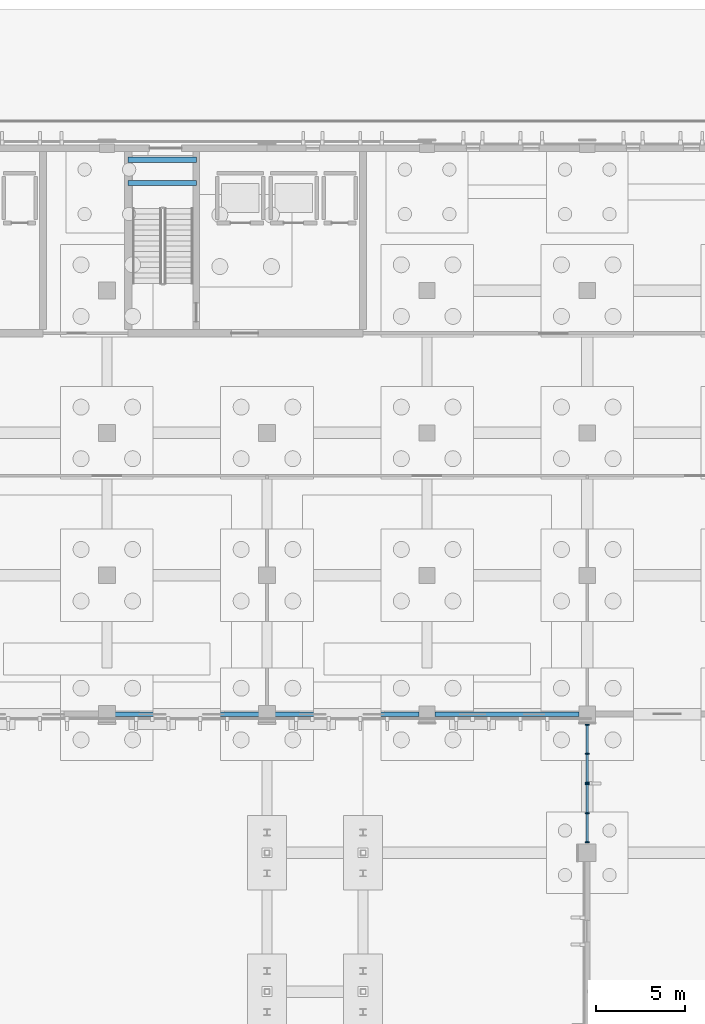
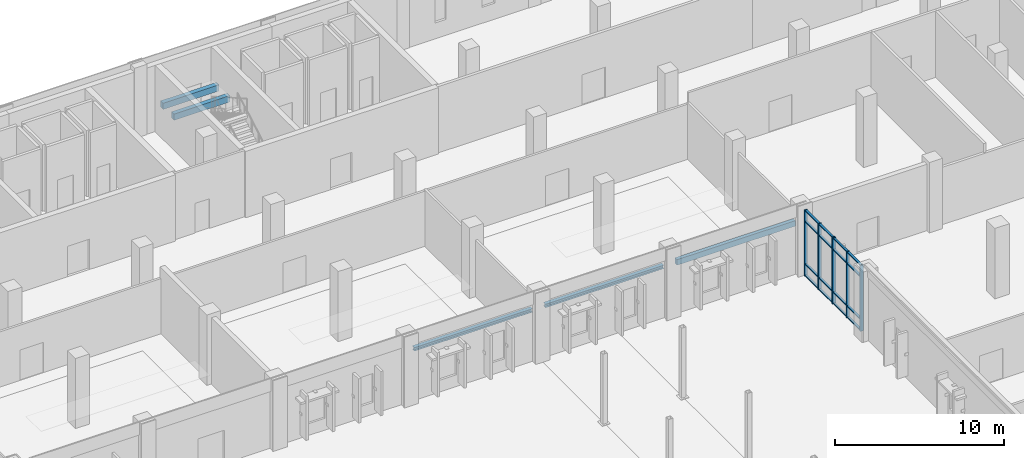
# One storey, part 45 of 94: 22 members, 5 beams, 2 elements without a shape of their own.
"""IFC4 building model written with IfcOpenShell, lengths in metres."""

from ifc_helpers import new_model, si_unit, direction, frame, origin, origin_2d, place, context, subcontext, project, spatial, rectangle, i_section, extrude, material, material_profile, profile_set, type_object, element, aggregate, save


model = new_model("IFC4")

# Units and contexts
model_context = context("Model", 3, precision=1e-05, world=origin(), true_north=direction((0.0, 1.0)))
body_context = subcontext(model_context, "Body", "Model", "MODEL_VIEW")
ifc_project = project(units=[si_unit("LENGTHUNIT", "METRE"), si_unit("AREAUNIT", "SQUARE_METRE"), si_unit("VOLUMEUNIT", "CUBIC_METRE"), si_unit("PLANEANGLEUNIT", "RADIAN"), si_unit("MASSUNIT", "GRAM", prefix="KILO")], contexts=[model_context])

# Site, building, storey
site_placement = place(None, origin())
site = spatial("IfcSite", under=ifc_project, at=site_placement, CompositionType="ELEMENT")
building_placement = place(site_placement, origin())
building = spatial("IfcBuilding", under=site, at=building_placement, Name="Vervanel Yard Central Library", CompositionType="ELEMENT")
storey_placement = place(building_placement, origin())
storey = spatial("IfcBuildingStorey", under=building, at=storey_placement, Name="L00", CompositionType="ELEMENT", Elevation=0.0)

# Beams
ifc_material_1 = material(Name="Concrete C40/50", Category="concrete")
ifc_material_profile_1 = material_profile(ifc_material_1, rectangle(XDim=0.300048828125, YDim=0.449951171875, at=origin_2d()), Name="RC 300x450", Category="concrete")
ifc_profile_set_1 = profile_set([ifc_material_profile_1], Name="Concrete C40/50")
beam_type_1 = type_object("IfcBeamType", Name="Concrete Opening Lintel 300x450", PredefinedType="LINTEL", material=ifc_profile_set_1)
for number, where, z_axis, x_axis, name in (
    (1, (64.199951171875, 112.050048828125, 2.125), (1.0, 0.0, 0.0), (0.0, 1.0, 0.0), "L00 CORE-B Stair Landing Beam 11"),
    (2, (64.199951171875, 113.35009765625, 2.125), (1.0, 0.0, 0.0), (0.0, 1.0, 0.0), "L00 CORE-B Stair Landing Beam 12"),
):
    element("IfcBeam", number, at=place(storey_placement, frame(where, z_axis=z_axis, x_axis=x_axis)), inside=storey, type_object=beam_type_1, Name=name, PredefinedType="LINTEL", context=body_context, shape_type="SweptSolid", body=[
        extrude(rectangle(XDim=0.300048828125, YDim=0.449951171875, at=origin_2d()), origin(), (0.0, 0.0, 1.0), 3.824951171875),
    ])
ifc_material_profile_2 = material_profile(ifc_material_1, rectangle(XDim=0.25, YDim=0.39990234375, at=origin_2d()), Name="RC 250x400", Category="concrete")
ifc_profile_set_2 = profile_set([ifc_material_profile_2], Name="Concrete C40/50")
beam_type_2 = type_object("IfcBeamType", Name="Concrete Shutter Lintel 250x400", PredefinedType="LINTEL", material=ifc_profile_set_2)
beam_placement = place(storey_placement, frame((81.449951171875, 82.199951171875, 3.64990234375), z_axis=(1.0, 0.0, 0.0), x_axis=(0.0, 1.0, 0.0)))
element("IfcBeam", 3, at=beam_placement, inside=storey, type_object=beam_type_2, Name="L00 Portal Opening Lintel 6", PredefinedType="LINTEL", context=body_context, shape_type="SweptSolid", body=[
    extrude(rectangle(XDim=0.25, YDim=0.39990234375, at=origin_2d()), origin(), (0.0, 0.0, 1.0), 8.10009765625),
])

# Curtain wall, members
ifc_material_2 = material(Name="Thermally broken anodized aluminium 6063-T6", Category="aluminium")
curtain_wall_type = type_object("IfcCurtainWallType", Name="Reading Hall Full-Height Curtain Wall", PredefinedType="NOTDEFINED", material=ifc_material_2)
curtain_wall_1_placement = place(storey_placement, origin())
curtain_wall_1 = element("IfcCurtainWall", 4, at=curtain_wall_1_placement, inside=storey, type_object=curtain_wall_type, Name="L00 Reading Hall Full-Height Curtain Wall CWR-L00-048", PredefinedType="NOTDEFINED")
ifc_material_profile_3 = material_profile(ifc_material_2, rectangle(XDim=0.070068359375, YDim=0.219970703125, at=origin_2d()), Name="ALU 70x220", Category="aluminium")
ifc_profile_set_3 = profile_set([ifc_material_profile_3], Name="Thermally broken anodized aluminium 6063-T6")
member_type_1 = type_object("IfcMemberType", Name="Reading Hall Deep Mullion 70x220", PredefinedType="MULLION", material=ifc_profile_set_3)
member_1_placement = place(storey_placement, frame((90.0, 74.9951171875, 0.0), z_axis=(0.0, 0.0, 1.0), x_axis=(0.0, 1.0, 0.0)))
member_1 = element("IfcMember", 5, at=member_1_placement, type_object=member_type_1, Name="CWR-L00-048 Mullion 1", PredefinedType="MULLION", context=body_context, shape_type="SweptSolid", body=[
    extrude(rectangle(XDim=0.070068359375, YDim=0.219970703125, at=origin_2d()), origin(), (0.0, 0.0, 1.0), 4.780029296875),
])
member_2_placement = place(storey_placement, frame((90.0, 76.6298828125, 0.0), z_axis=(0.0, 0.0, 1.0), x_axis=(0.0, 1.0, 0.0)))
member_2 = element("IfcMember", 6, at=member_2_placement, type_object=member_type_1, Name="CWR-L00-048 Mullion 2", PredefinedType="MULLION", context=body_context, shape_type="SweptSolid", body=[
    extrude(rectangle(XDim=0.070068359375, YDim=0.219970703125, at=origin_2d()), origin(), (0.0, 0.0, 1.0), 4.780029296875),
])
member_3_placement = place(storey_placement, frame((90.0, 78.264892578125, 0.0), z_axis=(0.0, 0.0, 1.0), x_axis=(0.0, 1.0, 0.0)))
member_3 = element("IfcMember", 7, at=member_3_placement, type_object=member_type_1, Name="CWR-L00-048 Mullion 3", PredefinedType="MULLION", context=body_context, shape_type="SweptSolid", body=[
    extrude(rectangle(XDim=0.070068359375, YDim=0.219970703125, at=origin_2d()), origin(), (0.0, 0.0, 1.0), 4.780029296875),
])

curtain_wall_2_placement = place(storey_placement, origin())
curtain_wall_2 = element("IfcCurtainWall", 8, at=curtain_wall_2_placement, inside=storey, type_object=curtain_wall_type, Name="L00 Reading Hall Full-Height Curtain Wall CWR-L00-049", PredefinedType="NOTDEFINED")
member_4_placement = place(storey_placement, frame((90.0, 78.3349609375, 0.0), z_axis=(0.0, 0.0, 1.0), x_axis=(0.0, 1.0, 0.0)))
member_4 = element("IfcMember", 9, at=member_4_placement, type_object=member_type_1, Name="CWR-L00-049 Mullion 1", PredefinedType="MULLION", context=body_context, shape_type="SweptSolid", body=[
    extrude(rectangle(XDim=0.070068359375, YDim=0.219970703125, at=origin_2d()), origin(), (0.0, 0.0, 1.0), 4.780029296875),
])
member_5_placement = place(storey_placement, frame((90.0, 79.969970703125, 0.0), z_axis=(0.0, 0.0, 1.0), x_axis=(0.0, 1.0, 0.0)))
member_5 = element("IfcMember", 10, at=member_5_placement, type_object=member_type_1, Name="CWR-L00-049 Mullion 2", PredefinedType="MULLION", context=body_context, shape_type="SweptSolid", body=[
    extrude(rectangle(XDim=0.070068359375, YDim=0.219970703125, at=origin_2d()), origin(), (0.0, 0.0, 1.0), 4.780029296875),
])
member_6_placement = place(storey_placement, frame((90.0, 81.60498046875, 0.0), z_axis=(0.0, 0.0, 1.0), x_axis=(0.0, 1.0, 0.0)))
member_6 = element("IfcMember", 11, at=member_6_placement, type_object=member_type_1, Name="CWR-L00-049 Mullion 3", PredefinedType="MULLION", context=body_context, shape_type="SweptSolid", body=[
    extrude(rectangle(XDim=0.070068359375, YDim=0.219970703125, at=origin_2d()), origin(), (0.0, 0.0, 1.0), 4.780029296875),
])

# Member
ifc_material_profile_4 = material_profile(ifc_material_2, rectangle(XDim=0.070068359375, YDim=0.14990234375, at=origin_2d()), Name="ALU 70x150", Category="aluminium")
ifc_profile_set_4 = profile_set([ifc_material_profile_4], Name="Thermally broken anodized aluminium 6063-T6")
member_type_2 = type_object("IfcMemberType", Name="Reading Hall Deep Transom 70x150", PredefinedType="NOTDEFINED", material=ifc_profile_set_4)
member_7_placement = place(storey_placement, frame((90.0, 75.030029296875, 0.034912109375), z_axis=(0.0, 1.0, 0.0), x_axis=(0.0, 0.0, 1.0)))
member_7 = element("IfcMember", 12, at=member_7_placement, type_object=member_type_2, Name="CWR-L00-048 Transom B1-T1", ObjectType="TRANSOM", PredefinedType="USERDEFINED", context=body_context, shape_type="SweptSolid", body=[
    extrude(rectangle(XDim=0.070068359375, YDim=0.14990234375, at=origin_2d()), origin(), (0.0, 0.0, 1.0), 1.56494140625),
])

member_8_placement = place(storey_placement, frame((90.0, 75.030029296875, 0.85009765625), z_axis=(0.0, 1.0, 0.0), x_axis=(0.0, 0.0, 1.0)))
member_8 = element("IfcMember", 13, at=member_8_placement, type_object=member_type_2, Name="CWR-L00-048 Transom B1-T2", ObjectType="TRANSOM", PredefinedType="USERDEFINED", context=body_context, shape_type="SweptSolid", body=[
    extrude(rectangle(XDim=0.070068359375, YDim=0.14990234375, at=origin_2d()), origin(), (0.0, 0.0, 1.0), 1.56494140625),
])

member_9_placement = place(storey_placement, frame((90.0, 75.030029296875, 3.929931640625), z_axis=(0.0, 1.0, 0.0), x_axis=(0.0, 0.0, 1.0)))
member_9 = element("IfcMember", 14, at=member_9_placement, type_object=member_type_2, Name="CWR-L00-048 Transom B1-T3", ObjectType="TRANSOM", PredefinedType="USERDEFINED", context=body_context, shape_type="SweptSolid", body=[
    extrude(rectangle(XDim=0.070068359375, YDim=0.14990234375, at=origin_2d()), origin(), (0.0, 0.0, 1.0), 1.56494140625),
])

member_10_placement = place(storey_placement, frame((90.0, 75.030029296875, 4.7451171875), z_axis=(0.0, 1.0, 0.0), x_axis=(0.0, 0.0, 1.0)))
member_10 = element("IfcMember", 15, at=member_10_placement, type_object=member_type_2, Name="CWR-L00-048 Transom B1-T4", ObjectType="TRANSOM", PredefinedType="USERDEFINED", context=body_context, shape_type="SweptSolid", body=[
    extrude(rectangle(XDim=0.070068359375, YDim=0.14990234375, at=origin_2d()), origin(), (0.0, 0.0, 1.0), 1.56494140625),
])

member_11_placement = place(storey_placement, frame((90.0, 76.6650390625, 0.034912109375), z_axis=(0.0, 1.0, 0.0), x_axis=(0.0, 0.0, 1.0)))
member_11 = element("IfcMember", 16, at=member_11_placement, type_object=member_type_2, Name="CWR-L00-048 Transom B2-T1", ObjectType="TRANSOM", PredefinedType="USERDEFINED", context=body_context, shape_type="SweptSolid", body=[
    extrude(rectangle(XDim=0.070068359375, YDim=0.14990234375, at=origin_2d()), origin(), (0.0, 0.0, 1.0), 1.56494140625),
])

member_12_placement = place(storey_placement, frame((90.0, 76.6650390625, 0.85009765625), z_axis=(0.0, 1.0, 0.0), x_axis=(0.0, 0.0, 1.0)))
member_12 = element("IfcMember", 17, at=member_12_placement, type_object=member_type_2, Name="CWR-L00-048 Transom B2-T2", ObjectType="TRANSOM", PredefinedType="USERDEFINED", context=body_context, shape_type="SweptSolid", body=[
    extrude(rectangle(XDim=0.070068359375, YDim=0.14990234375, at=origin_2d()), origin(), (0.0, 0.0, 1.0), 1.56494140625),
])

member_13_placement = place(storey_placement, frame((90.0, 76.6650390625, 3.929931640625), z_axis=(0.0, 1.0, 0.0), x_axis=(0.0, 0.0, 1.0)))
member_13 = element("IfcMember", 18, at=member_13_placement, type_object=member_type_2, Name="CWR-L00-048 Transom B2-T3", ObjectType="TRANSOM", PredefinedType="USERDEFINED", context=body_context, shape_type="SweptSolid", body=[
    extrude(rectangle(XDim=0.070068359375, YDim=0.14990234375, at=origin_2d()), origin(), (0.0, 0.0, 1.0), 1.56494140625),
])

member_14_placement = place(storey_placement, frame((90.0, 76.6650390625, 4.7451171875), z_axis=(0.0, 1.0, 0.0), x_axis=(0.0, 0.0, 1.0)))
member_14 = element("IfcMember", 19, at=member_14_placement, type_object=member_type_2, Name="CWR-L00-048 Transom B2-T4", ObjectType="TRANSOM", PredefinedType="USERDEFINED", context=body_context, shape_type="SweptSolid", body=[
    extrude(rectangle(XDim=0.070068359375, YDim=0.14990234375, at=origin_2d()), origin(), (0.0, 0.0, 1.0), 1.56494140625),
])

aggregate(curtain_wall_1, [member_1, member_2, member_3, member_7, member_8, member_9, member_10, member_11, member_12, member_13, member_14])

member_15_placement = place(storey_placement, frame((90.0, 78.3701171875, 0.034912109375), z_axis=(0.0, 1.0, 0.0), x_axis=(0.0, 0.0, 1.0)))
member_15 = element("IfcMember", 20, at=member_15_placement, type_object=member_type_2, Name="CWR-L00-049 Transom B1-T1", ObjectType="TRANSOM", PredefinedType="USERDEFINED", context=body_context, shape_type="SweptSolid", body=[
    extrude(rectangle(XDim=0.070068359375, YDim=0.14990234375, at=origin_2d()), origin(), (0.0, 0.0, 1.0), 1.56494140625),
])

member_16_placement = place(storey_placement, frame((90.0, 78.3701171875, 0.85009765625), z_axis=(0.0, 1.0, 0.0), x_axis=(0.0, 0.0, 1.0)))
member_16 = element("IfcMember", 21, at=member_16_placement, type_object=member_type_2, Name="CWR-L00-049 Transom B1-T2", ObjectType="TRANSOM", PredefinedType="USERDEFINED", context=body_context, shape_type="SweptSolid", body=[
    extrude(rectangle(XDim=0.070068359375, YDim=0.14990234375, at=origin_2d()), origin(), (0.0, 0.0, 1.0), 1.56494140625),
])

member_17_placement = place(storey_placement, frame((90.0, 78.3701171875, 3.929931640625), z_axis=(0.0, 1.0, 0.0), x_axis=(0.0, 0.0, 1.0)))
member_17 = element("IfcMember", 22, at=member_17_placement, type_object=member_type_2, Name="CWR-L00-049 Transom B1-T3", ObjectType="TRANSOM", PredefinedType="USERDEFINED", context=body_context, shape_type="SweptSolid", body=[
    extrude(rectangle(XDim=0.070068359375, YDim=0.14990234375, at=origin_2d()), origin(), (0.0, 0.0, 1.0), 1.56494140625),
])

member_18_placement = place(storey_placement, frame((90.0, 78.3701171875, 4.7451171875), z_axis=(0.0, 1.0, 0.0), x_axis=(0.0, 0.0, 1.0)))
member_18 = element("IfcMember", 23, at=member_18_placement, type_object=member_type_2, Name="CWR-L00-049 Transom B1-T4", ObjectType="TRANSOM", PredefinedType="USERDEFINED", context=body_context, shape_type="SweptSolid", body=[
    extrude(rectangle(XDim=0.070068359375, YDim=0.14990234375, at=origin_2d()), origin(), (0.0, 0.0, 1.0), 1.56494140625),
])

member_19_placement = place(storey_placement, frame((90.0, 80.0048828125, 0.034912109375), z_axis=(0.0, 1.0, 0.0), x_axis=(0.0, 0.0, 1.0)))
member_19 = element("IfcMember", 24, at=member_19_placement, type_object=member_type_2, Name="CWR-L00-049 Transom B2-T1", ObjectType="TRANSOM", PredefinedType="USERDEFINED", context=body_context, shape_type="SweptSolid", body=[
    extrude(rectangle(XDim=0.070068359375, YDim=0.14990234375, at=origin_2d()), origin(), (0.0, 0.0, 1.0), 1.565185546875),
])

member_20_placement = place(storey_placement, frame((90.0, 80.0048828125, 0.85009765625), z_axis=(0.0, 1.0, 0.0), x_axis=(0.0, 0.0, 1.0)))
member_20 = element("IfcMember", 25, at=member_20_placement, type_object=member_type_2, Name="CWR-L00-049 Transom B2-T2", ObjectType="TRANSOM", PredefinedType="USERDEFINED", context=body_context, shape_type="SweptSolid", body=[
    extrude(rectangle(XDim=0.070068359375, YDim=0.14990234375, at=origin_2d()), origin(), (0.0, 0.0, 1.0), 1.565185546875),
])

member_21_placement = place(storey_placement, frame((90.0, 80.0048828125, 3.929931640625), z_axis=(0.0, 1.0, 0.0), x_axis=(0.0, 0.0, 1.0)))
member_21 = element("IfcMember", 26, at=member_21_placement, type_object=member_type_2, Name="CWR-L00-049 Transom B2-T3", ObjectType="TRANSOM", PredefinedType="USERDEFINED", context=body_context, shape_type="SweptSolid", body=[
    extrude(rectangle(XDim=0.070068359375, YDim=0.14990234375, at=origin_2d()), origin(), (0.0, 0.0, 1.0), 1.565185546875),
])

member_22_placement = place(storey_placement, frame((90.0, 80.0048828125, 4.7451171875), z_axis=(0.0, 1.0, 0.0), x_axis=(0.0, 0.0, 1.0)))
member_22 = element("IfcMember", 27, at=member_22_placement, type_object=member_type_2, Name="CWR-L00-049 Transom B2-T4", ObjectType="TRANSOM", PredefinedType="USERDEFINED", context=body_context, shape_type="SweptSolid", body=[
    extrude(rectangle(XDim=0.070068359375, YDim=0.14990234375, at=origin_2d()), origin(), (0.0, 0.0, 1.0), 1.565185546875),
])

aggregate(curtain_wall_2, [member_4, member_5, member_6, member_15, member_16, member_17, member_18, member_19, member_20, member_21, member_22])

# Beams
ifc_material_3 = material(Name="Steel ASTM A992 Grade 50", Category="steel")
ifc_material_profile_5 = material_profile(ifc_material_3, i_section(OverallWidth=0.25390625, OverallDepth=0.25390625, WebThickness=0.008544921875, FlangeThickness=0.01416015625, at=origin_2d()), Name="W10X49", Category="steel")
ifc_profile_set_5 = profile_set([ifc_material_profile_5], Name="Steel ASTM A992 Grade 50")
beam_type_3 = type_object("IfcBeamType", Name="Steel Opening Lintel W10X49", PredefinedType="LINTEL", material=ifc_profile_set_5)
for number, where, z_axis, x_axis, name in (
    (28, (63.449951171875, 82.199951171875, 3.64990234375), (1.0, 0.0, 0.0), (0.0, 1.0, 0.0), "L00 Portal Opening Lintel 4"),
    (29, (72.449951171875, 82.199951171875, 3.64990234375), (1.0, 0.0, 0.0), (0.0, 1.0, 0.0), "L00 Portal Opening Lintel 5"),
):
    element("IfcBeam", number, at=place(storey_placement, frame(where, z_axis=z_axis, x_axis=x_axis)), inside=storey, type_object=beam_type_3, Name=name, PredefinedType="LINTEL", context=body_context, shape_type="SweptSolid", body=[
        extrude(i_section(OverallWidth=0.25390625, OverallDepth=0.25390625, WebThickness=0.008544921875, FlangeThickness=0.01416015625, at=origin_2d()), origin(), (0.0, 0.0, 1.0), 8.10009765625),
    ])

save(model, "model.ifc")
